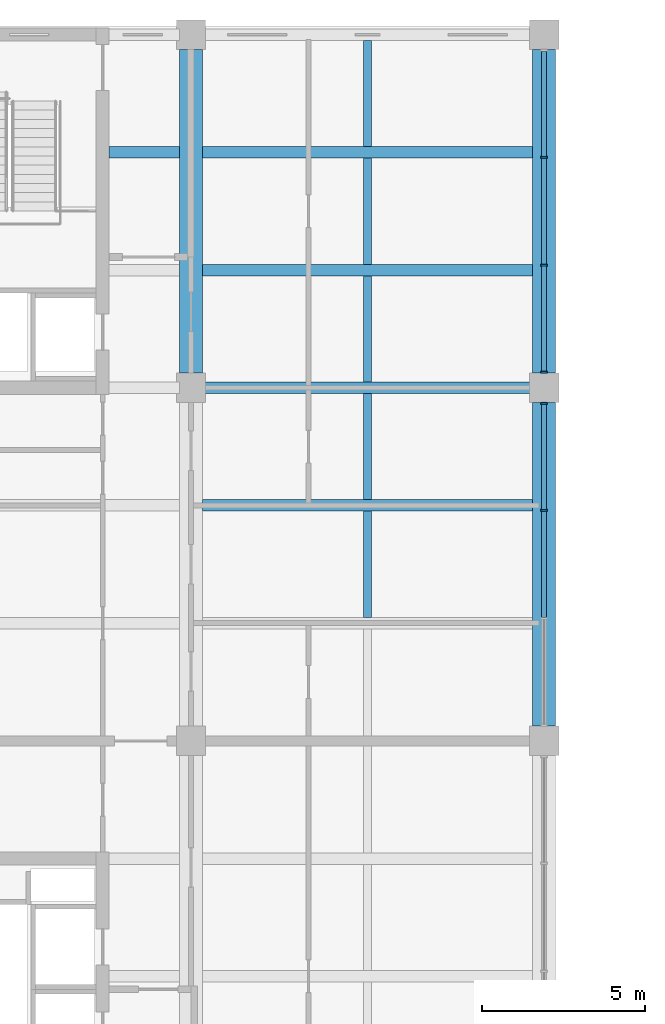
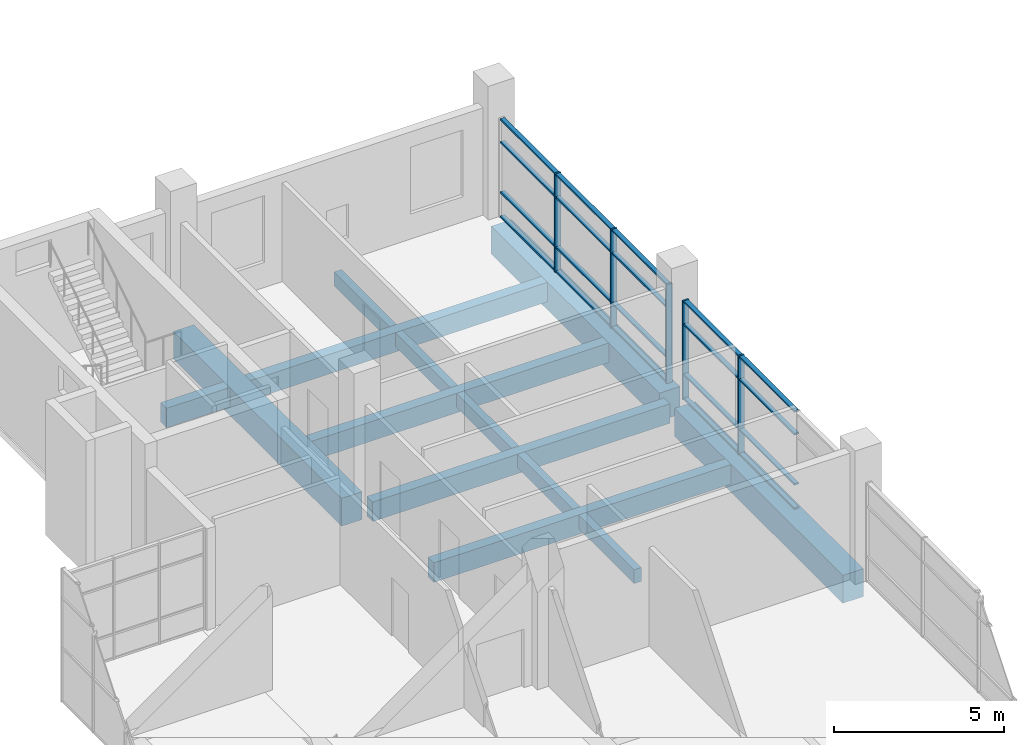
# One storey, part 9 of 23: 25 members, 13 beams, 2 elements without a shape of their own.
"""IFC4 building model written with IfcOpenShell, lengths in metres."""

from ifc_helpers import new_model, si_unit, direction, frame, origin, origin_2d, place, context, subcontext, project, spatial, rectangle, extrude, material, layer, layer_set, material_profile, profile_set, type_object, element, aggregate, save


model = new_model("IFC4")

# Units and contexts
model_context = context("Model", 3, precision=1e-05, world=origin(), true_north=direction((0.0, 1.0)))
body_context = subcontext(model_context, "Body", "Model", "MODEL_VIEW")
ifc_project = project(units=[si_unit("LENGTHUNIT", "METRE"), si_unit("AREAUNIT", "SQUARE_METRE"), si_unit("VOLUMEUNIT", "CUBIC_METRE"), si_unit("PLANEANGLEUNIT", "RADIAN"), si_unit("MASSUNIT", "GRAM", prefix="KILO")], contexts=[model_context])

# Site, building, storey
site_placement = place(None, origin())
site = spatial("IfcSite", under=ifc_project, at=site_placement, CompositionType="ELEMENT")
building_placement = place(site_placement, origin())
building = spatial("IfcBuilding", under=site, at=building_placement, Name="Basin Gate Institute", CompositionType="ELEMENT")
storey_placement = place(building_placement, frame((0.0, 0.0, 46.199951171875)))
storey = spatial("IfcBuildingStorey", under=building, at=storey_placement, Name="L09", CompositionType="ELEMENT", Elevation=46.199951171875)

# Beams
ifc_material_1 = material(Name="Concrete 40 MPa", Category="concrete")
ifc_material_profile_1 = material_profile(ifc_material_1, rectangle(XDim=0.35009765625, YDim=0.699951171875, at=origin_2d()), Name="Beam B1 350 x 700")
ifc_profile_set_1 = profile_set([ifc_material_profile_1], Name="Concrete 40 MPa")
beam_type_1 = type_object("IfcBeamType", Name="Beam B1 R120", PredefinedType="BEAM", material=ifc_profile_set_1)
for number, where, z_axis, x_axis, name in (
    (1, (68.75, 85.5, -0.599853515625), (1.0, 0.0, 0.0), (0.0, 1.0, 0.0), "BEAM/L09/W/EW/15"),
    (2, (68.75, 89.10009765625, -0.599853515625), (1.0, 0.0, 0.0), (0.0, 1.0, 0.0), "BEAM/L09/W/EW/16"),
    (3, (68.75, 92.699951171875, -0.599853515625), (1.0, 0.0, 0.0), (0.0, 1.0, 0.0), "BEAM/L09/W/EW/17"),
    (4, (68.75, 96.300048828125, -0.599853515625), (1.0, 0.0, 0.0), (0.0, 1.0, 0.0), "BEAM/L09/W/EW/18"),
):
    element("IfcBeam", number, at=place(storey_placement, frame(where, z_axis=z_axis, x_axis=x_axis)), inside=storey, type_object=beam_type_1, material=ifc_profile_set_1, Name=name, PredefinedType="BEAM", context=body_context, shape_type="SweptSolid", body=[
        extrude(rectangle(XDim=0.35009765625, YDim=0.699951171875, at=origin_2d()), origin(), (0.0, 0.0, 1.0), 10.10009765625),
    ])
beam_placement = place(storey_placement, frame((65.89990234375, 96.300048828125, -0.599853515625), z_axis=(1.0, 0.0, 0.0), x_axis=(0.0, 1.0, 0.0)))
element("IfcBeam", 5, at=beam_placement, inside=storey, type_object=beam_type_1, material=ifc_profile_set_1, Name="BEAM/L09/W/CORR/18", PredefinedType="BEAM", context=body_context, shape_type="SweptSolid", body=[
    extrude(rectangle(XDim=0.35009765625, YDim=0.699951171875, at=origin_2d()), origin(), (0.0, 0.0, 1.0), 2.150146484375),
])
ifc_material_2 = material(Name="Concrete 50 MPa", Category="concrete")
ifc_material_profile_2 = material_profile(ifc_material_2, rectangle(XDim=0.699951171875, YDim=1.0, at=origin_2d()), Name="Girder G1 700 x 1000")
ifc_profile_set_2 = profile_set([ifc_material_profile_2], Name="Concrete 50 MPa")
beam_type_2 = type_object("IfcBeamType", Name="Girder G1 R120", PredefinedType="BEAM", material=ifc_profile_set_2)
for number, where, z_axis, x_axis, name in (
    (6, (68.39990234375, 89.550048828125, -0.75), (0.0, 1.0, 0.0), (-1.0, 0.0, 0.0), "GIR/L09/W5/6"),
    (7, (79.199951171875, 78.75, -0.75), (0.0, 1.0, 0.0), (-1.0, 0.0, 0.0), "GIR/L09/W6/5"),
    (8, (79.199951171875, 89.550048828125, -0.75), (0.0, 1.0, 0.0), (-1.0, 0.0, 0.0), "GIR/L09/W6/6"),
):
    element("IfcBeam", number, at=place(storey_placement, frame(where, z_axis=z_axis, x_axis=x_axis)), inside=storey, type_object=beam_type_2, material=ifc_profile_set_2, Name=name, PredefinedType="BEAM", context=body_context, shape_type="SweptSolid", body=[
        extrude(rectangle(XDim=0.699951171875, YDim=1.0, at=origin_2d()), origin(), (0.0, 0.0, 1.0), 9.89990234375),
    ])

# Curtain wall, members
ifc_material_3 = material(Name="Aluminium-framed glazing", Category="aluminium")
ifc_layer = layer(ifc_material_3, 0.199951171875)
ifc_layer_set = layer_set([ifc_layer], Name="Atrium curtain wall CW2")
curtain_wall_type = type_object("IfcCurtainWallType", Name="Atrium curtain wall CW2", PredefinedType="NOTDEFINED", material=ifc_layer_set)
curtain_wall_1_placement = place(storey_placement, origin())
curtain_wall_1 = element("IfcCurtainWall", 9, at=curtain_wall_1_placement, inside=storey, type_object=curtain_wall_type, material=ifc_layer_set, Name="Atrium curtain wall W wing atrium bay 5 L09", PredefinedType="NOTDEFINED")
ifc_material_4 = material(Name="Aluminium", Category="aluminium")
ifc_material_profile_3 = material_profile(ifc_material_4, rectangle(XDim=0.199951171875, YDim=0.06005859375, at=origin_2d()), Name="Mullion MU2 200 x 60")
ifc_profile_set_3 = profile_set([ifc_material_profile_3], Name="Aluminium")
member_type_1 = type_object("IfcMemberType", Name="Mullion MU2", PredefinedType="MULLION", material=ifc_profile_set_3)
member_1_placement = place(storey_placement, frame((79.199951171875, 85.35009765625, 0.0), z_axis=(0.0, 0.0, 1.0), x_axis=(-1.0, 0.0, 0.0)))
member_1 = element("IfcMember", 10, at=member_1_placement, type_object=member_type_1, material=ifc_profile_set_3, Name="CW2 mullion 3", PredefinedType="MULLION", context=body_context, shape_type="SweptSolid", body=[
    extrude(rectangle(XDim=0.199951171875, YDim=0.06005859375, at=origin_2d()), origin(), (0.0, 0.0, 1.0), 3.550048828125),
])
member_2_placement = place(storey_placement, frame((79.199951171875, 88.6201171875, 0.0), z_axis=(0.0, 0.0, 1.0), x_axis=(-1.0, 0.0, 0.0)))
member_2 = element("IfcMember", 11, at=member_2_placement, type_object=member_type_1, material=ifc_profile_set_3, Name="CW2 mullion 4", PredefinedType="MULLION", context=body_context, shape_type="SweptSolid", body=[
    extrude(rectangle(XDim=0.199951171875, YDim=0.06005859375, at=origin_2d()), origin(), (0.0, 0.0, 1.0), 3.550048828125),
])

curtain_wall_2_placement = place(storey_placement, origin())
curtain_wall_2 = element("IfcCurtainWall", 12, at=curtain_wall_2_placement, inside=storey, type_object=curtain_wall_type, material=ifc_layer_set, Name="Atrium curtain wall W wing atrium bay 6 L09", PredefinedType="NOTDEFINED")
member_3_placement = place(storey_placement, frame((79.199951171875, 89.580078125, 0.0), z_axis=(0.0, 0.0, 1.0), x_axis=(-1.0, 0.0, 0.0)))
member_3 = element("IfcMember", 13, at=member_3_placement, type_object=member_type_1, material=ifc_profile_set_3, Name="CW2 mullion 1", PredefinedType="MULLION", context=body_context, shape_type="SweptSolid", body=[
    extrude(rectangle(XDim=0.199951171875, YDim=0.06005859375, at=origin_2d()), origin(), (0.0, 0.0, 1.0), 3.550048828125),
])
member_4_placement = place(storey_placement, frame((79.199951171875, 92.85009765625, 0.0), z_axis=(0.0, 0.0, 1.0), x_axis=(-1.0, 0.0, 0.0)))
member_4 = element("IfcMember", 14, at=member_4_placement, type_object=member_type_1, material=ifc_profile_set_3, Name="CW2 mullion 2", PredefinedType="MULLION", context=body_context, shape_type="SweptSolid", body=[
    extrude(rectangle(XDim=0.199951171875, YDim=0.06005859375, at=origin_2d()), origin(), (0.0, 0.0, 1.0), 3.550048828125),
])
member_5_placement = place(storey_placement, frame((79.199951171875, 96.14990234375, 0.0), z_axis=(0.0, 0.0, 1.0), x_axis=(-1.0, 0.0, 0.0)))
member_5 = element("IfcMember", 15, at=member_5_placement, type_object=member_type_1, material=ifc_profile_set_3, Name="CW2 mullion 3", PredefinedType="MULLION", context=body_context, shape_type="SweptSolid", body=[
    extrude(rectangle(XDim=0.199951171875, YDim=0.06005859375, at=origin_2d()), origin(), (0.0, 0.0, 1.0), 3.550048828125),
])

# Beams
ifc_material_5 = material(Name="Concrete 40 MPa", Category="concrete")
ifc_material_profile_4 = material_profile(ifc_material_5, rectangle(XDim=0.25, YDim=0.5, at=origin_2d()), Name="Rib R1 250 x 500")
ifc_profile_set_4 = profile_set([ifc_material_profile_4], Name="Concrete 40 MPa")
beam_type_3 = type_object("IfcBeamType", Name="Rib R1 R120", PredefinedType="JOIST", material=ifc_profile_set_4)
for number, where, z_axis, x_axis, name in (
    (16, (73.800048828125, 82.074951171875, -0.5), (0.0, 1.0, 0.0), (-1.0, 0.0, 0.0), "BEAM/L09/W/RIB/14"),
    (17, (73.800048828125, 85.675048828125, -0.5), (0.0, 1.0, 0.0), (-1.0, 0.0, 0.0), "BEAM/L09/W/RIB/15"),
    (18, (73.800048828125, 89.27490234375, -0.5), (0.0, 1.0, 0.0), (-1.0, 0.0, 0.0), "BEAM/L09/W/RIB/16"),
    (19, (73.800048828125, 92.875, -0.5), (0.0, 1.0, 0.0), (-1.0, 0.0, 0.0), "BEAM/L09/W/RIB/17"),
    (20, (73.800048828125, 96.47509765625, -0.5), (0.0, 1.0, 0.0), (-1.0, 0.0, 0.0), "BEAM/L09/W/RIB/18"),
):
    element("IfcBeam", number, at=place(storey_placement, frame(where, z_axis=z_axis, x_axis=x_axis)), inside=storey, type_object=beam_type_3, material=ifc_profile_set_4, Name=name, PredefinedType="JOIST", context=body_context, shape_type="SweptSolid", body=[
        extrude(rectangle(XDim=0.25, YDim=0.5, at=origin_2d()), origin(), (0.0, 0.0, 1.0), 3.25),
    ])

# Member
ifc_material_6 = material(Name="Aluminium", Category="aluminium")
ifc_material_profile_5 = material_profile(ifc_material_6, rectangle(XDim=0.14990234375, YDim=0.06005859375, at=origin_2d()), Name="Transom TR2 150 x 60")
ifc_profile_set_5 = profile_set([ifc_material_profile_5], Name="Aluminium")
member_type_2 = type_object("IfcMemberType", Name="Transom TR2", PredefinedType="USERDEFINED", material=ifc_profile_set_5)
member_6_placement = place(storey_placement, frame((79.199951171875, 82.080078125, 0.030029296875), z_axis=(0.0, 1.0, 0.0), x_axis=(-1.0, 0.0, 0.0)))
member_6 = element("IfcMember", 21, at=member_6_placement, type_object=member_type_2, material=ifc_profile_set_5, Name="CW2 transom 2.1", ObjectType="TRANSOM", PredefinedType="USERDEFINED", context=body_context, shape_type="SweptSolid", body=[
    extrude(rectangle(XDim=0.14990234375, YDim=0.06005859375, at=origin_2d()), origin(), (0.0, 0.0, 1.0), 3.239990234375),
])

member_7_placement = place(storey_placement, frame((79.199951171875, 82.080078125, 0.900146484375), z_axis=(0.0, 1.0, 0.0), x_axis=(-1.0, 0.0, 0.0)))
member_7 = element("IfcMember", 22, at=member_7_placement, type_object=member_type_2, material=ifc_profile_set_5, Name="CW2 transom 2.2", ObjectType="TRANSOM", PredefinedType="USERDEFINED", context=body_context, shape_type="SweptSolid", body=[
    extrude(rectangle(XDim=0.14990234375, YDim=0.06005859375, at=origin_2d()), origin(), (0.0, 0.0, 1.0), 3.239990234375),
])

member_8_placement = place(storey_placement, frame((79.199951171875, 82.080078125, 2.699951171875), z_axis=(0.0, 1.0, 0.0), x_axis=(-1.0, 0.0, 0.0)))
member_8 = element("IfcMember", 23, at=member_8_placement, type_object=member_type_2, material=ifc_profile_set_5, Name="CW2 transom 2.3", ObjectType="TRANSOM", PredefinedType="USERDEFINED", context=body_context, shape_type="SweptSolid", body=[
    extrude(rectangle(XDim=0.14990234375, YDim=0.06005859375, at=origin_2d()), origin(), (0.0, 0.0, 1.0), 3.239990234375),
])

member_9_placement = place(storey_placement, frame((79.199951171875, 82.080078125, 3.52001953125), z_axis=(0.0, 1.0, 0.0), x_axis=(-1.0, 0.0, 0.0)))
member_9 = element("IfcMember", 24, at=member_9_placement, type_object=member_type_2, material=ifc_profile_set_5, Name="CW2 transom 2.4", ObjectType="TRANSOM", PredefinedType="USERDEFINED", context=body_context, shape_type="SweptSolid", body=[
    extrude(rectangle(XDim=0.14990234375, YDim=0.06005859375, at=origin_2d()), origin(), (0.0, 0.0, 1.0), 3.239990234375),
])

member_10_placement = place(storey_placement, frame((79.199951171875, 85.3798828125, 0.030029296875), z_axis=(0.0, 1.0, 0.0), x_axis=(-1.0, 0.0, 0.0)))
member_10 = element("IfcMember", 25, at=member_10_placement, type_object=member_type_2, material=ifc_profile_set_5, Name="CW2 transom 3.1", ObjectType="TRANSOM", PredefinedType="USERDEFINED", context=body_context, shape_type="SweptSolid", body=[
    extrude(rectangle(XDim=0.14990234375, YDim=0.06005859375, at=origin_2d()), origin(), (0.0, 0.0, 1.0), 3.210205078125),
])

member_11_placement = place(storey_placement, frame((79.199951171875, 85.3798828125, 0.900146484375), z_axis=(0.0, 1.0, 0.0), x_axis=(-1.0, 0.0, 0.0)))
member_11 = element("IfcMember", 26, at=member_11_placement, type_object=member_type_2, material=ifc_profile_set_5, Name="CW2 transom 3.2", ObjectType="TRANSOM", PredefinedType="USERDEFINED", context=body_context, shape_type="SweptSolid", body=[
    extrude(rectangle(XDim=0.14990234375, YDim=0.06005859375, at=origin_2d()), origin(), (0.0, 0.0, 1.0), 3.210205078125),
])

member_12_placement = place(storey_placement, frame((79.199951171875, 85.3798828125, 2.699951171875), z_axis=(0.0, 1.0, 0.0), x_axis=(-1.0, 0.0, 0.0)))
member_12 = element("IfcMember", 27, at=member_12_placement, type_object=member_type_2, material=ifc_profile_set_5, Name="CW2 transom 3.3", ObjectType="TRANSOM", PredefinedType="USERDEFINED", context=body_context, shape_type="SweptSolid", body=[
    extrude(rectangle(XDim=0.14990234375, YDim=0.06005859375, at=origin_2d()), origin(), (0.0, 0.0, 1.0), 3.210205078125),
])

member_13_placement = place(storey_placement, frame((79.199951171875, 85.3798828125, 3.52001953125), z_axis=(0.0, 1.0, 0.0), x_axis=(-1.0, 0.0, 0.0)))
member_13 = element("IfcMember", 28, at=member_13_placement, type_object=member_type_2, material=ifc_profile_set_5, Name="CW2 transom 3.4", ObjectType="TRANSOM", PredefinedType="USERDEFINED", context=body_context, shape_type="SweptSolid", body=[
    extrude(rectangle(XDim=0.14990234375, YDim=0.06005859375, at=origin_2d()), origin(), (0.0, 0.0, 1.0), 3.210205078125),
])

aggregate(curtain_wall_1, [member_1, member_2, member_6, member_7, member_8, member_9, member_10, member_11, member_12, member_13])

member_14_placement = place(storey_placement, frame((79.199951171875, 89.610107421875, 0.030029296875), z_axis=(0.0, 1.0, 0.0), x_axis=(-1.0, 0.0, 0.0)))
member_14 = element("IfcMember", 29, at=member_14_placement, type_object=member_type_2, material=ifc_profile_set_5, Name="CW2 transom 1.1", ObjectType="TRANSOM", PredefinedType="USERDEFINED", context=body_context, shape_type="SweptSolid", body=[
    extrude(rectangle(XDim=0.14990234375, YDim=0.06005859375, at=origin_2d()), origin(), (0.0, 0.0, 1.0), 3.2099609375),
])

member_15_placement = place(storey_placement, frame((79.199951171875, 89.610107421875, 0.900146484375), z_axis=(0.0, 1.0, 0.0), x_axis=(-1.0, 0.0, 0.0)))
member_15 = element("IfcMember", 30, at=member_15_placement, type_object=member_type_2, material=ifc_profile_set_5, Name="CW2 transom 1.2", ObjectType="TRANSOM", PredefinedType="USERDEFINED", context=body_context, shape_type="SweptSolid", body=[
    extrude(rectangle(XDim=0.14990234375, YDim=0.06005859375, at=origin_2d()), origin(), (0.0, 0.0, 1.0), 3.2099609375),
])

member_16_placement = place(storey_placement, frame((79.199951171875, 89.610107421875, 2.699951171875), z_axis=(0.0, 1.0, 0.0), x_axis=(-1.0, 0.0, 0.0)))
member_16 = element("IfcMember", 31, at=member_16_placement, type_object=member_type_2, material=ifc_profile_set_5, Name="CW2 transom 1.3", ObjectType="TRANSOM", PredefinedType="USERDEFINED", context=body_context, shape_type="SweptSolid", body=[
    extrude(rectangle(XDim=0.14990234375, YDim=0.06005859375, at=origin_2d()), origin(), (0.0, 0.0, 1.0), 3.2099609375),
])

member_17_placement = place(storey_placement, frame((79.199951171875, 89.610107421875, 3.52001953125), z_axis=(0.0, 1.0, 0.0), x_axis=(-1.0, 0.0, 0.0)))
member_17 = element("IfcMember", 32, at=member_17_placement, type_object=member_type_2, material=ifc_profile_set_5, Name="CW2 transom 1.4", ObjectType="TRANSOM", PredefinedType="USERDEFINED", context=body_context, shape_type="SweptSolid", body=[
    extrude(rectangle(XDim=0.14990234375, YDim=0.06005859375, at=origin_2d()), origin(), (0.0, 0.0, 1.0), 3.2099609375),
])

member_18_placement = place(storey_placement, frame((79.199951171875, 92.8798828125, 0.030029296875), z_axis=(0.0, 1.0, 0.0), x_axis=(-1.0, 0.0, 0.0)))
member_18 = element("IfcMember", 33, at=member_18_placement, type_object=member_type_2, material=ifc_profile_set_5, Name="CW2 transom 2.1", ObjectType="TRANSOM", PredefinedType="USERDEFINED", context=body_context, shape_type="SweptSolid", body=[
    extrude(rectangle(XDim=0.14990234375, YDim=0.06005859375, at=origin_2d()), origin(), (0.0, 0.0, 1.0), 3.240234375),
])

member_19_placement = place(storey_placement, frame((79.199951171875, 92.8798828125, 0.900146484375), z_axis=(0.0, 1.0, 0.0), x_axis=(-1.0, 0.0, 0.0)))
member_19 = element("IfcMember", 34, at=member_19_placement, type_object=member_type_2, material=ifc_profile_set_5, Name="CW2 transom 2.2", ObjectType="TRANSOM", PredefinedType="USERDEFINED", context=body_context, shape_type="SweptSolid", body=[
    extrude(rectangle(XDim=0.14990234375, YDim=0.06005859375, at=origin_2d()), origin(), (0.0, 0.0, 1.0), 3.240234375),
])

member_20_placement = place(storey_placement, frame((79.199951171875, 92.8798828125, 2.699951171875), z_axis=(0.0, 1.0, 0.0), x_axis=(-1.0, 0.0, 0.0)))
member_20 = element("IfcMember", 35, at=member_20_placement, type_object=member_type_2, material=ifc_profile_set_5, Name="CW2 transom 2.3", ObjectType="TRANSOM", PredefinedType="USERDEFINED", context=body_context, shape_type="SweptSolid", body=[
    extrude(rectangle(XDim=0.14990234375, YDim=0.06005859375, at=origin_2d()), origin(), (0.0, 0.0, 1.0), 3.240234375),
])

member_21_placement = place(storey_placement, frame((79.199951171875, 92.8798828125, 3.52001953125), z_axis=(0.0, 1.0, 0.0), x_axis=(-1.0, 0.0, 0.0)))
member_21 = element("IfcMember", 36, at=member_21_placement, type_object=member_type_2, material=ifc_profile_set_5, Name="CW2 transom 2.4", ObjectType="TRANSOM", PredefinedType="USERDEFINED", context=body_context, shape_type="SweptSolid", body=[
    extrude(rectangle(XDim=0.14990234375, YDim=0.06005859375, at=origin_2d()), origin(), (0.0, 0.0, 1.0), 3.240234375),
])

member_22_placement = place(storey_placement, frame((79.199951171875, 96.179931640625, 0.030029296875), z_axis=(0.0, 1.0, 0.0), x_axis=(-1.0, 0.0, 0.0)))
member_22 = element("IfcMember", 37, at=member_22_placement, type_object=member_type_2, material=ifc_profile_set_5, Name="CW2 transom 3.1", ObjectType="TRANSOM", PredefinedType="USERDEFINED", context=body_context, shape_type="SweptSolid", body=[
    extrude(rectangle(XDim=0.14990234375, YDim=0.06005859375, at=origin_2d()), origin(), (0.0, 0.0, 1.0), 3.2099609375),
])

member_23_placement = place(storey_placement, frame((79.199951171875, 96.179931640625, 0.900146484375), z_axis=(0.0, 1.0, 0.0), x_axis=(-1.0, 0.0, 0.0)))
member_23 = element("IfcMember", 38, at=member_23_placement, type_object=member_type_2, material=ifc_profile_set_5, Name="CW2 transom 3.2", ObjectType="TRANSOM", PredefinedType="USERDEFINED", context=body_context, shape_type="SweptSolid", body=[
    extrude(rectangle(XDim=0.14990234375, YDim=0.06005859375, at=origin_2d()), origin(), (0.0, 0.0, 1.0), 3.2099609375),
])

member_24_placement = place(storey_placement, frame((79.199951171875, 96.179931640625, 2.699951171875), z_axis=(0.0, 1.0, 0.0), x_axis=(-1.0, 0.0, 0.0)))
member_24 = element("IfcMember", 39, at=member_24_placement, type_object=member_type_2, material=ifc_profile_set_5, Name="CW2 transom 3.3", ObjectType="TRANSOM", PredefinedType="USERDEFINED", context=body_context, shape_type="SweptSolid", body=[
    extrude(rectangle(XDim=0.14990234375, YDim=0.06005859375, at=origin_2d()), origin(), (0.0, 0.0, 1.0), 3.2099609375),
])

member_25_placement = place(storey_placement, frame((79.199951171875, 96.179931640625, 3.52001953125), z_axis=(0.0, 1.0, 0.0), x_axis=(-1.0, 0.0, 0.0)))
member_25 = element("IfcMember", 40, at=member_25_placement, type_object=member_type_2, material=ifc_profile_set_5, Name="CW2 transom 3.4", ObjectType="TRANSOM", PredefinedType="USERDEFINED", context=body_context, shape_type="SweptSolid", body=[
    extrude(rectangle(XDim=0.14990234375, YDim=0.06005859375, at=origin_2d()), origin(), (0.0, 0.0, 1.0), 3.2099609375),
])

aggregate(curtain_wall_2, [member_3, member_4, member_5, member_14, member_15, member_16, member_17, member_18, member_19, member_20, member_21, member_22, member_23, member_24, member_25])

save(model, "model.ifc")
